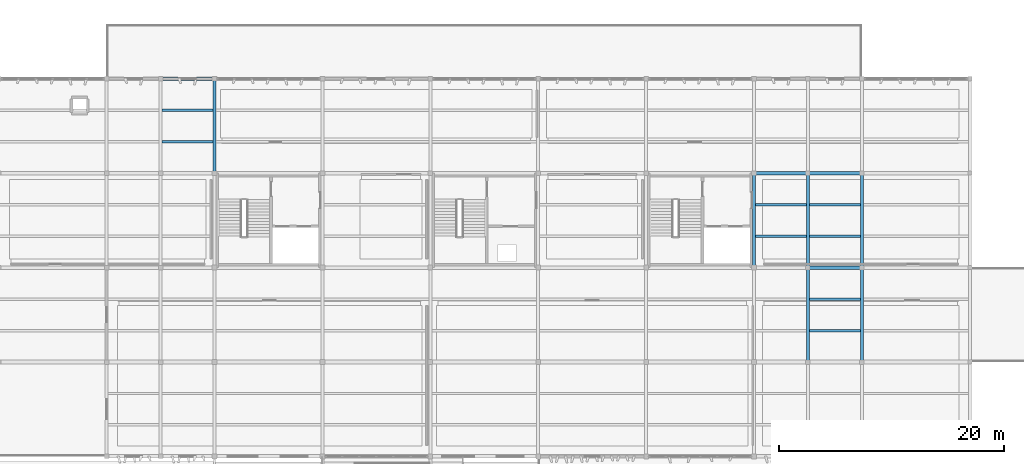
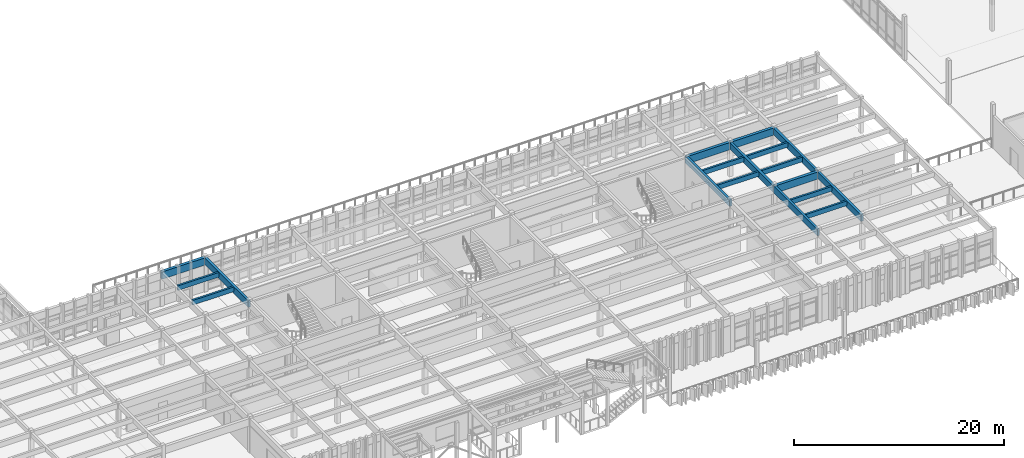
# One storey, part 16 of 61: 18 beams.
"""IFC4 building model written with IfcOpenShell, lengths in metres."""

from ifc_helpers import new_model, si_unit, direction, frame, origin, origin_2d, place, context, subcontext, project, spatial, rectangle, extrude, material, material_profile, profile_set, type_object, element, save


model = new_model("IFC4")

# Units and contexts
model_context = context("Model", 3, precision=1e-05, world=origin(), true_north=direction((0.0, 1.0)))
body_context = subcontext(model_context, "Body", "Model", "MODEL_VIEW")
ifc_project = project(units=[si_unit("LENGTHUNIT", "METRE"), si_unit("AREAUNIT", "SQUARE_METRE"), si_unit("VOLUMEUNIT", "CUBIC_METRE"), si_unit("PLANEANGLEUNIT", "RADIAN"), si_unit("MASSUNIT", "GRAM", prefix="KILO")], contexts=[model_context])

# Site, building, storey
site_placement = place(None, origin())
site = spatial("IfcSite", under=ifc_project, at=site_placement, CompositionType="ELEMENT")
building_placement = place(site_placement, origin())
building = spatial("IfcBuilding", under=site, at=building_placement, Name="Kolvemor Railside Polytechnic", CompositionType="ELEMENT")
storey_placement = place(building_placement, frame((0.0, 0.0, 10.199951171875)))
storey = spatial("IfcBuildingStorey", under=building, at=storey_placement, Name="L02", CompositionType="ELEMENT", Elevation=10.199951171875)

# Beams
ifc_material_1 = material(Name="Glulam GL28h", Category="wood")
ifc_material_profile_1 = material_profile(ifc_material_1, rectangle(XDim=0.264892578125, YDim=0.760009765625, at=origin_2d()), Name="GL265x760")
ifc_profile_set_1 = profile_set([ifc_material_profile_1], Name="Glulam GL28h")
beam_type_1 = type_object("IfcBeamType", Name="BM-GL-GIRD1", PredefinedType="BEAM", material=ifc_profile_set_1)
for number, where, z_axis, x_axis, name in (
    (1, (67.199951171875, 30.0, 3.570068359375), (0.0, 1.0, 0.0), (-1.0, 0.0, 0.0), "Primary Girder L03-GY 1272"),
    (2, (115.199951171875, 21.60009765625, 3.570068359375), (0.0, 1.0, 0.0), (-1.0, 0.0, 0.0), "Primary Girder L03-GY 1291"),
):
    element("IfcBeam", number, at=place(storey_placement, frame(where, z_axis=z_axis, x_axis=x_axis)), inside=storey, type_object=beam_type_1, Name=name, PredefinedType="BEAM", context=body_context, shape_type="SweptSolid", body=[
        extrude(rectangle(XDim=0.264892578125, YDim=0.760009765625, at=origin_2d()), origin(), (0.0, 0.0, 1.0), 8.39990234375),
    ])
beam_1_placement = place(storey_placement, frame((120.0, 13.199951171875, 3.570068359375), z_axis=(0.0, 1.0, 0.0), x_axis=(-1.0, 0.0, 0.0)))
element("IfcBeam", 3, at=beam_1_placement, inside=storey, type_object=beam_type_1, Name="Primary Girder L03-GY 1294", PredefinedType="BEAM", context=body_context, shape_type="SweptSolid", body=[
    extrude(rectangle(XDim=0.264892578125, YDim=0.760009765625, at=origin_2d()), origin(), (0.0, 0.0, 1.0), 8.400146484375),
])
beam_2_placement = place(storey_placement, frame((120.0, 21.60009765625, 3.570068359375), z_axis=(0.0, 1.0, 0.0), x_axis=(-1.0, 0.0, 0.0)))
element("IfcBeam", 4, at=beam_2_placement, inside=storey, type_object=beam_type_1, Name="Primary Girder L03-GY 1295", PredefinedType="BEAM", context=body_context, shape_type="SweptSolid", body=[
    extrude(rectangle(XDim=0.264892578125, YDim=0.760009765625, at=origin_2d()), origin(), (0.0, 0.0, 1.0), 8.39990234375),
])
beam_3_placement = place(storey_placement, frame((124.800048828125, 13.199951171875, 3.570068359375), z_axis=(0.0, 1.0, 0.0), x_axis=(-1.0, 0.0, 0.0)))
element("IfcBeam", 5, at=beam_3_placement, inside=storey, type_object=beam_type_1, Name="Primary Girder L03-GY 1298", PredefinedType="BEAM", context=body_context, shape_type="SweptSolid", body=[
    extrude(rectangle(XDim=0.264892578125, YDim=0.760009765625, at=origin_2d()), origin(), (0.0, 0.0, 1.0), 8.400146484375),
])
beam_4_placement = place(storey_placement, frame((124.800048828125, 21.60009765625, 3.570068359375), z_axis=(0.0, 1.0, 0.0), x_axis=(-1.0, 0.0, 0.0)))
element("IfcBeam", 6, at=beam_4_placement, inside=storey, type_object=beam_type_1, Name="Primary Girder L03-GY 1299", PredefinedType="BEAM", context=body_context, shape_type="SweptSolid", body=[
    extrude(rectangle(XDim=0.264892578125, YDim=0.760009765625, at=origin_2d()), origin(), (0.0, 0.0, 1.0), 8.39990234375),
])
ifc_material_2 = material(Name="Glulam GL28h", Category="wood")
ifc_material_profile_2 = material_profile(ifc_material_2, rectangle(XDim=0.31494140625, YDim=0.840087890625, at=origin_2d()), Name="GL315x840")
ifc_profile_set_2 = profile_set([ifc_material_profile_2], Name="Glulam GL28h")
beam_type_2 = type_object("IfcBeamType", Name="BM-GL-GIRD3", PredefinedType="BEAM", material=ifc_profile_set_2)
for number, where, z_axis, x_axis, name in (
    (7, (120.0, 21.60009765625, 3.530029296875), (1.0, 0.0, 0.0), (0.0, 1.0, 0.0), "Primary Girder L03-GX 1242"),
    (8, (115.199951171875, 30.0, 3.530029296875), (1.0, 0.0, 0.0), (0.0, 1.0, 0.0), "Primary Girder L03-GX 1250"),
    (9, (120.0, 30.0, 3.530029296875), (1.0, 0.0, 0.0), (0.0, 1.0, 0.0), "Primary Girder L03-GX 1251"),
    (10, (62.39990234375, 38.39990234375, 3.530029296875), (1.0, 0.0, 0.0), (0.0, 1.0, 0.0), "Primary Girder L03-GX 1253"),
):
    element("IfcBeam", number, at=place(storey_placement, frame(where, z_axis=z_axis, x_axis=x_axis)), inside=storey, type_object=beam_type_2, Name=name, PredefinedType="BEAM", context=body_context, shape_type="SweptSolid", body=[
        extrude(rectangle(XDim=0.31494140625, YDim=0.840087890625, at=origin_2d()), origin(), (0.0, 0.0, 1.0), 4.800048828125),
    ])
ifc_material_3 = material(Name="Glulam GL28h", Category="wood")
ifc_material_profile_3 = material_profile(ifc_material_3, rectangle(XDim=0.215087890625, YDim=0.5400390625, at=origin_2d()), Name="GL215x540")
ifc_profile_set_3 = profile_set([ifc_material_profile_3], Name="Glulam GL28h")
beam_type_3 = type_object("IfcBeamType", Name="BM-GL-JST1", PredefinedType="JOIST", material=ifc_profile_set_3)
for number, where, z_axis, x_axis, name in (
    (11, (62.532958984375, 32.800048828125, 3.679931640625), (1.0, 0.0, 0.0), (0.0, 1.0, 0.0), "Floor Joist L03-J1315"),
    (12, (62.532958984375, 35.60009765625, 3.679931640625), (1.0, 0.0, 0.0), (0.0, 1.0, 0.0), "Floor Joist L03-J1316"),
    (13, (115.3330078125, 24.39990234375, 3.679931640625), (1.0, 0.0, 0.0), (0.0, 1.0, 0.0), "Floor Joist L03-J1355"),
    (14, (115.3330078125, 27.199951171875, 3.679931640625), (1.0, 0.0, 0.0), (0.0, 1.0, 0.0), "Floor Joist L03-J1356"),
    (15, (120.133056640625, 16.0, 3.679931640625), (1.0, 0.0, 0.0), (0.0, 1.0, 0.0), "Floor Joist L03-J1361"),
    (16, (120.133056640625, 18.800048828125, 3.679931640625), (1.0, 0.0, 0.0), (0.0, 1.0, 0.0), "Floor Joist L03-J1362"),
    (17, (120.133056640625, 24.39990234375, 3.679931640625), (1.0, 0.0, 0.0), (0.0, 1.0, 0.0), "Floor Joist L03-J1363"),
    (18, (120.133056640625, 27.199951171875, 3.679931640625), (1.0, 0.0, 0.0), (0.0, 1.0, 0.0), "Floor Joist L03-J1364"),
):
    element("IfcBeam", number, at=place(storey_placement, frame(where, z_axis=z_axis, x_axis=x_axis)), inside=storey, type_object=beam_type_3, Name=name, PredefinedType="JOIST", context=body_context, shape_type="SweptSolid", body=[
        extrude(rectangle(XDim=0.215087890625, YDim=0.5400390625, at=origin_2d()), origin(), (0.0, 0.0, 1.0), 4.533935546875),
    ])

save(model, "model.ifc")
